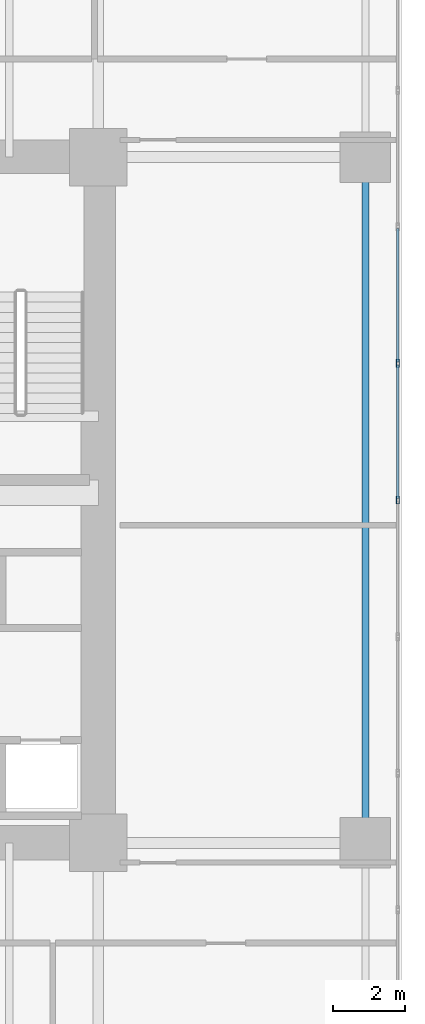
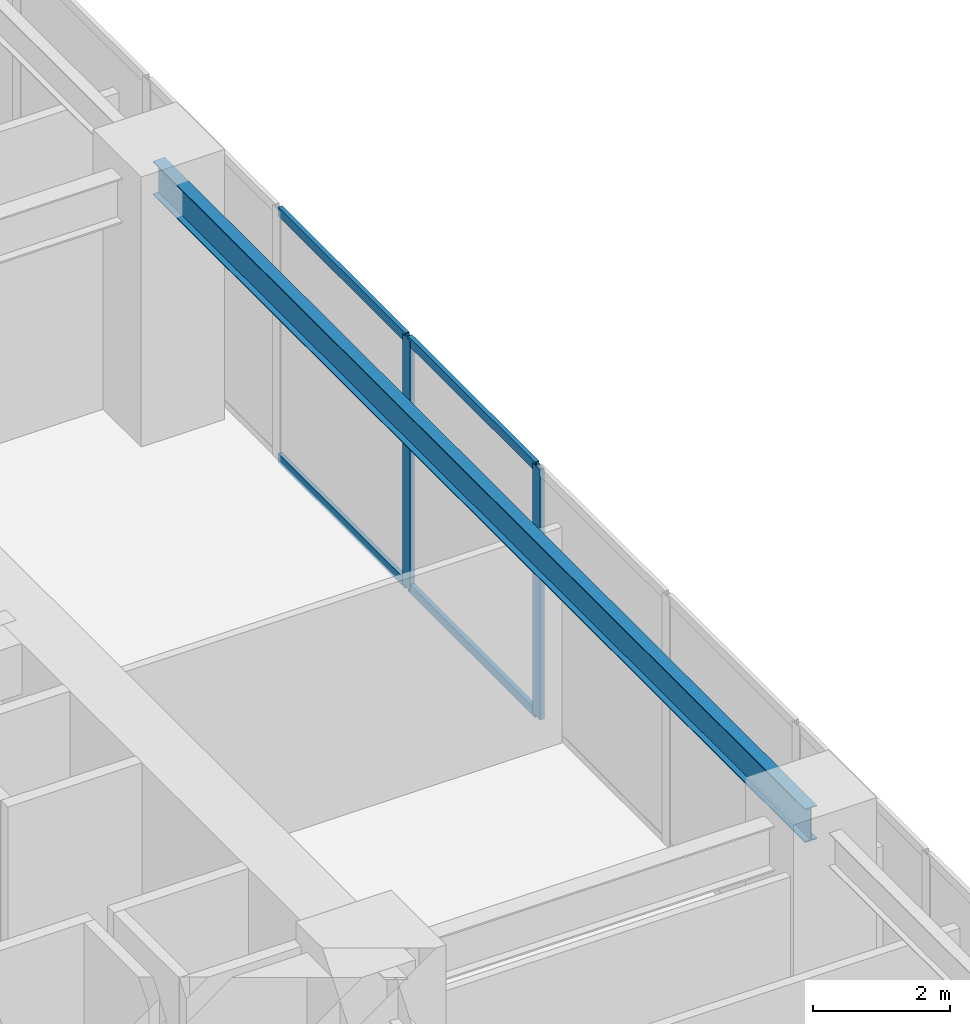
# One storey, part 20 of 32: 6 members, 1 beam, 1 element without a shape of its own.
"""IFC4 building model written with IfcOpenShell, lengths in metres."""

from ifc_helpers import new_model, si_unit, direction, frame, origin, origin_2d, place, context, subcontext, project, spatial, hollow_rectangle, i_section, extrude, source, transform, mapped, material, layer, layer_set, material_profile, profile_set, type_object, type_shapes, element, aggregate, save


model = new_model("IFC4")

# Units and contexts
model_context = context("Model", 3, precision=1e-05, world=origin(), true_north=direction((0.0, 1.0)))
body_context = subcontext(model_context, "Body", "Model", "MODEL_VIEW")
ifc_project = project(units=[si_unit("LENGTHUNIT", "METRE"), si_unit("AREAUNIT", "SQUARE_METRE"), si_unit("VOLUMEUNIT", "CUBIC_METRE"), si_unit("PLANEANGLEUNIT", "RADIAN"), si_unit("MASSUNIT", "GRAM", prefix="KILO")], contexts=[model_context])

# Site, building, storey
site_placement = place(None, origin())
site = spatial("IfcSite", under=ifc_project, at=site_placement, CompositionType="ELEMENT")
building_placement = place(site_placement, origin())
building = spatial("IfcBuilding", under=site, at=building_placement, Name="Haelvirn Gate Laboratories", CompositionType="ELEMENT")
storey_placement = place(building_placement, frame((0.0, 0.0, 5.39990234375)))
storey = spatial("IfcBuildingStorey", under=building, at=storey_placement, Name="L02", CompositionType="ELEMENT", Elevation=5.39990234375)

# Beam
ifc_material_1 = material(Name="Steel SM355", Category="steel")
ifc_material_profile_1 = material_profile(ifc_material_1, i_section(OverallWidth=0.199951171875, OverallDepth=0.60009765625, WebThickness=0.010986328125, FlangeThickness=0.01708984375, at=origin_2d()), Name="H-600x200x11x17")
ifc_profile_set_1 = profile_set([ifc_material_profile_1], Name="Steel SM355")
beam_type = type_object("IfcBeamType", Name="BM-SP-600", PredefinedType="SPANDREL", material=ifc_profile_set_1)
shared_shape_1 = source(origin(), body_context, "Body", "SweptSolid", [
    extrude(i_section(OverallWidth=0.199951171875, OverallDepth=0.60009765625, WebThickness=0.010986328125, FlangeThickness=0.01708984375, at=origin_2d()), origin(), (0.0, 0.0, 1.0), 19.0),
])
type_shapes(beam_type, [shared_shape_1])
beam_placement = place(storey_placement, frame((74.800048828125, 14.800048828125, 4.150146484375), z_axis=(0.0, 1.0, 0.0), x_axis=(-1.0, 0.0, 0.0)))
element("IfcBeam", 1, at=beam_placement, inside=storey, type_object=beam_type, Name="L02 Perimeter Spandrel X74.8 (14.8-33.8)", PredefinedType="SPANDREL", context=body_context, shape_type="MappedRepresentation", body=[
    mapped(shared_shape_1, transform((0.0, 0.0, 0.0), scale=1.0)),
])

# Curtain wall, members
ifc_material_2 = material(Name="Anodised bronze unitised aluminium & triple low-E glass", Category="aluminium")
ifc_layer = layer(ifc_material_2, 0.18798828125, Name="CW-SYS-1")
ifc_layer_set = layer_set([ifc_layer], Name="Anodised bronze unitised aluminium & triple low-E glass")
curtain_wall_type = type_object("IfcCurtainWallType", Name="CW-SYS-1", PredefinedType="NOTDEFINED", material=ifc_layer_set)
curtain_wall_placement = place(storey_placement, origin())
curtain_wall = element("IfcCurtainWall", 2, at=curtain_wall_placement, inside=storey, type_object=curtain_wall_type, Name="L02 Unitised Curtain Wall CW-L02-P1-E03", PredefinedType="NOTDEFINED")
ifc_material_3 = material(Name="Extruded aluminium 6063-T6 (anodised bronze)", Category="aluminium")
ifc_material_profile_2 = material_profile(ifc_material_3, hollow_rectangle(XDim=0.080078125, YDim=0.219970703125, WallThickness=0.006103515625, at=origin_2d()), Name="CWM-220x80x6")
ifc_profile_set_2 = profile_set([ifc_material_profile_2], Name="Extruded aluminium 6063-T6 (anodised bronze)")
member_type_1 = type_object("IfcMemberType", Name="CWM-T220", PredefinedType="MULLION", material=ifc_profile_set_2)
shared_shape_2 = source(origin(), body_context, "Body", "SweptSolid", [
    extrude(hollow_rectangle(XDim=0.080078125, YDim=0.219970703125, WallThickness=0.006103515625, at=origin_2d()), origin(), (0.0, 0.0, 1.0), 4.4501953125),
])
type_shapes(member_type_1, [shared_shape_2])
member_1_placement = place(storey_placement, frame((75.699951171875, 24.300048828125, 0.0), z_axis=(0.0, 0.0, 1.0), x_axis=(-1.0, 0.0, 0.0)))
member_1 = element("IfcMember", 3, at=member_1_placement, type_object=member_type_1, Name="CW1 mullion 7", PredefinedType="MULLION", context=body_context, shape_type="MappedRepresentation", body=[
    mapped(shared_shape_2, transform((0.0, 0.0, 0.0), scale=1.0)),
])
member_2_placement = place(storey_placement, frame((75.699951171875, 28.083251953125, 0.0), z_axis=(0.0, 0.0, 1.0), x_axis=(-1.0, 0.0, 0.0)))
member_2 = element("IfcMember", 4, at=member_2_placement, type_object=member_type_1, Name="CW1 mullion 8", PredefinedType="MULLION", context=body_context, shape_type="MappedRepresentation", body=[
    mapped(shared_shape_2, transform((0.0, 0.0, 0.0), scale=1.0)),
])
ifc_material_profile_3 = material_profile(ifc_material_3, hollow_rectangle(XDim=0.070068359375, YDim=0.159912109375, WallThickness=0.0048828125, at=origin_2d()), Name="CWT-160x70x5")
ifc_profile_set_3 = profile_set([ifc_material_profile_3], Name="Extruded aluminium 6063-T6 (anodised bronze)")
member_type_2 = type_object("IfcMemberType", Name="CWT-T160", PredefinedType="USERDEFINED", material=ifc_profile_set_3)
shared_shape_3 = source(origin(), body_context, "Body", "SweptSolid", [
    extrude(hollow_rectangle(XDim=0.070068359375, YDim=0.159912109375, WallThickness=0.0048828125, at=origin_2d()), origin(), (0.0, 0.0, 1.0), 3.703369140625),
])
member_3_placement = place(storey_placement, frame((75.699951171875, 28.123291015625, 0.03515625), z_axis=(0.0, 1.0, 0.0), x_axis=(-1.0, 0.0, 0.0)))
member_3 = element("IfcMember", 5, at=member_3_placement, type_object=member_type_2, Name="CW1 transom 8.1", ObjectType="TRANSOM", PredefinedType="USERDEFINED", context=body_context, shape_type="MappedRepresentation", body=[
    mapped(shared_shape_3, transform((0.0, 0.0, 0.0), scale=1.0)),
])
member_4_placement = place(storey_placement, frame((75.699951171875, 28.123291015625, 4.4150390625), z_axis=(0.0, 1.0, 0.0), x_axis=(-1.0, 0.0, 0.0)))
member_4 = element("IfcMember", 6, at=member_4_placement, type_object=member_type_2, Name="CW1 transom 8.2", ObjectType="TRANSOM", PredefinedType="USERDEFINED", context=body_context, shape_type="MappedRepresentation", body=[
    mapped(shared_shape_3, transform((0.0, 0.0, 0.0), scale=1.0)),
])
shared_shape_4 = source(origin(), body_context, "Body", "SweptSolid", [
    extrude(hollow_rectangle(XDim=0.070068359375, YDim=0.159912109375, WallThickness=0.0048828125, at=origin_2d()), origin(), (0.0, 0.0, 1.0), 3.703125),
])
type_shapes(member_type_2, [shared_shape_3, shared_shape_4])
member_5_placement = place(storey_placement, frame((75.699951171875, 24.340087890625, 0.03515625), z_axis=(0.0, 1.0, 0.0), x_axis=(-1.0, 0.0, 0.0)))
member_5 = element("IfcMember", 7, at=member_5_placement, type_object=member_type_2, Name="CW1 transom 7.1", ObjectType="TRANSOM", PredefinedType="USERDEFINED", context=body_context, shape_type="MappedRepresentation", body=[
    mapped(shared_shape_4, transform((0.0, 0.0, 0.0), scale=1.0)),
])
member_6_placement = place(storey_placement, frame((75.699951171875, 24.340087890625, 4.4150390625), z_axis=(0.0, 1.0, 0.0), x_axis=(-1.0, 0.0, 0.0)))
member_6 = element("IfcMember", 8, at=member_6_placement, type_object=member_type_2, Name="CW1 transom 7.2", ObjectType="TRANSOM", PredefinedType="USERDEFINED", context=body_context, shape_type="MappedRepresentation", body=[
    mapped(shared_shape_4, transform((0.0, 0.0, 0.0), scale=1.0)),
])
aggregate(curtain_wall, [member_1, member_2, member_5, member_6, member_3, member_4])

save(model, "model.ifc")
